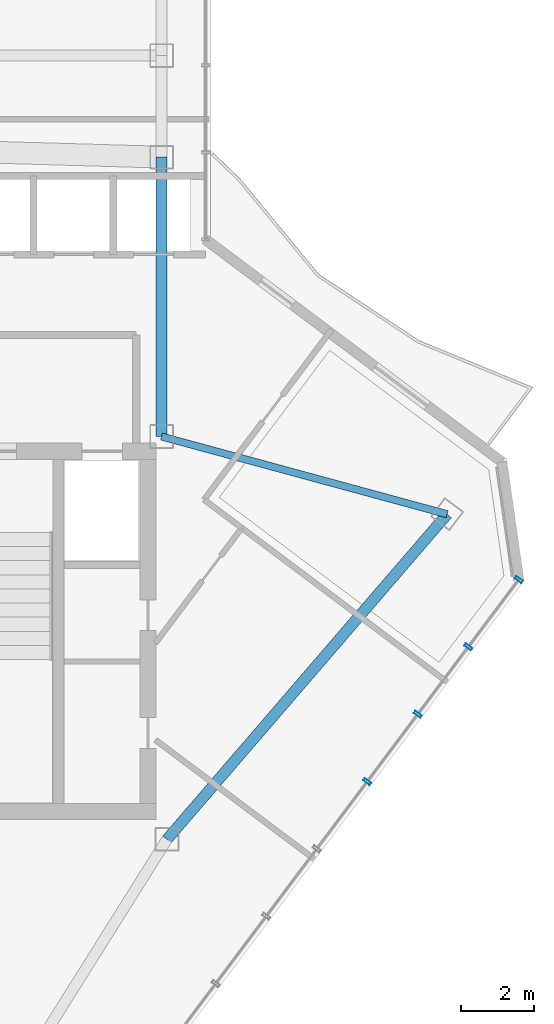
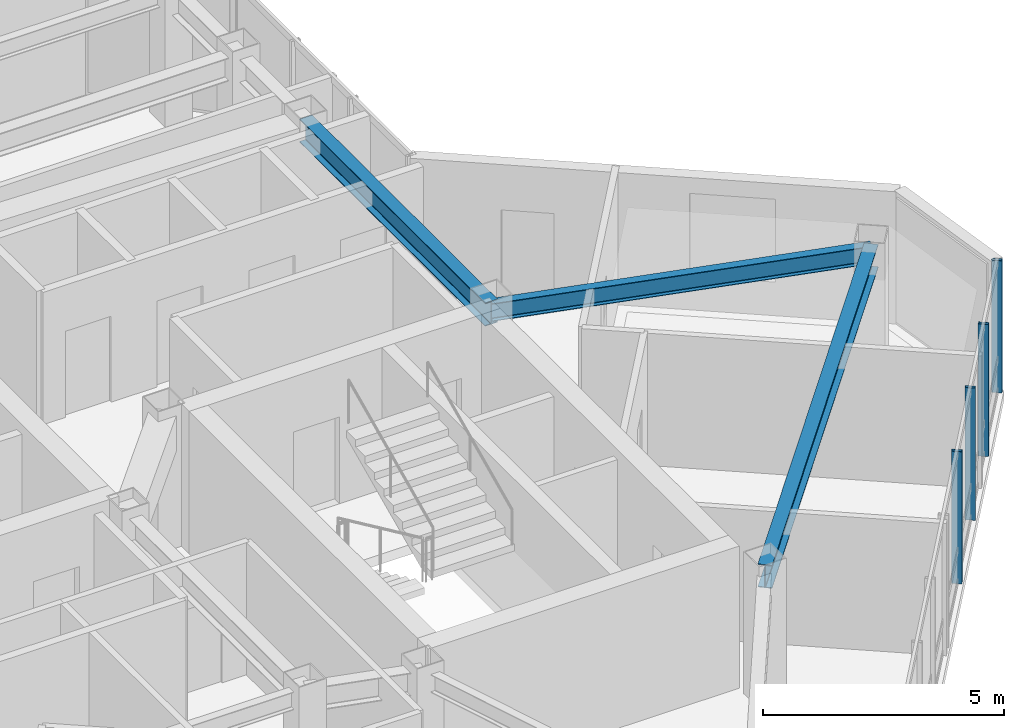
# One storey, part 7 of 17: 4 members, 3 beams, 1 element without a shape of its own.
"""IFC4 building model written with IfcOpenShell, lengths in metres."""

from ifc_helpers import new_model, si_unit, direction, frame, origin, origin_2d, place, context, subcontext, project, spatial, hollow_rectangle, i_section, extrude, material, layer, layer_set, material_profile, profile_set, type_object, element, aggregate, save


model = new_model("IFC4")

# Units and contexts
model_context = context("Model", 3, precision=1e-05, world=origin(), true_north=direction((0.0, 1.0)))
body_context = subcontext(model_context, "Body", "Model", "MODEL_VIEW")
ifc_project = project(units=[si_unit("LENGTHUNIT", "METRE"), si_unit("AREAUNIT", "SQUARE_METRE"), si_unit("VOLUMEUNIT", "CUBIC_METRE"), si_unit("PLANEANGLEUNIT", "RADIAN"), si_unit("MASSUNIT", "GRAM", prefix="KILO")], contexts=[model_context])

# Site, building, storey
site_placement = place(None, origin())
site = spatial("IfcSite", under=ifc_project, at=site_placement, CompositionType="ELEMENT")
building_placement = place(site_placement, origin())
building = spatial("IfcBuilding", under=site, at=building_placement, Name="Hatsunagi Terrace Concourse", CompositionType="ELEMENT")
storey_placement = place(building_placement, frame((0.0, 0.0, 253.949951171875)))
storey = spatial("IfcBuildingStorey", under=building, at=storey_placement, Name="L67", CompositionType="ELEMENT", Elevation=253.949951171875)

# Curtain wall, members
ifc_material_1 = material(Name="Anodised Aluminium Alloy 6063-T5", Category="aluminium")
ifc_layer = layer(ifc_material_1, 0.199951171875)
ifc_layer_set = layer_set([ifc_layer], Name="SkyLobbyAtrium_CW05")
curtain_wall_type = type_object("IfcCurtainWallType", Name="SkyLobbyAtrium_CW05", PredefinedType="NOTDEFINED", material=ifc_layer_set)
curtain_wall_placement = place(storey_placement, origin())
curtain_wall = element("IfcCurtainWall", 1, at=curtain_wall_placement, inside=storey, type_object=curtain_wall_type, Name="Unitised Curtain Wall CW-05 CW-L67-03", PredefinedType="NOTDEFINED")
ifc_material_2 = material(Name="Anodised Aluminium Alloy 6063-T5", Category="aluminium")
ifc_material_profile_1 = material_profile(ifc_material_2, hollow_rectangle(XDim=0.080078125, YDim=0.219970703125, WallThickness=0.0048828125, at=origin_2d()), Name="ALU-MUL-220x80x5")
ifc_profile_set_1 = profile_set([ifc_material_profile_1], Name="Anodised Aluminium Alloy 6063-T5")
member_type = type_object("IfcMemberType", Name="CurtainWallMullion_Heavy_220x80", PredefinedType="MULLION", material=ifc_profile_set_1)
member_1_placement = place(storey_placement, frame((53.492919921875, 31.35791015625, 0.0), z_axis=(0.0, 0.0, 1.0), x_axis=(-0.599969314634, -0.800023013105, 0.0)))
member_1 = element("IfcMember", 2, at=member_1_placement, type_object=member_type, Name="Curtain Wall Mullion MUL-01", PredefinedType="MULLION", context=body_context, shape_type="SweptSolid", body=[
    extrude(hollow_rectangle(XDim=0.080078125, YDim=0.219970703125, WallThickness=0.0048828125, at=origin_2d()), origin(), (0.0, 0.0, 1.0), 3.35009765625),
])
member_2_placement = place(storey_placement, frame((52.10107421875, 29.501953125, 0.0), z_axis=(0.0, 0.0, 1.0), x_axis=(-0.599969314634, -0.800023013105, 0.0)))
member_2 = element("IfcMember", 3, at=member_2_placement, type_object=member_type, Name="Curtain Wall Mullion MUL-01", PredefinedType="MULLION", context=body_context, shape_type="SweptSolid", body=[
    extrude(hollow_rectangle(XDim=0.080078125, YDim=0.219970703125, WallThickness=0.0048828125, at=origin_2d()), origin(), (0.0, 0.0, 1.0), 3.35009765625),
])
member_3_placement = place(storey_placement, frame((50.708984375, 27.64501953125, 0.0), z_axis=(0.0, 0.0, 1.0), x_axis=(-0.599969314634, -0.800023013105, 0.0)))
member_3 = element("IfcMember", 4, at=member_3_placement, type_object=member_type, Name="Curtain Wall Mullion MUL-01", PredefinedType="MULLION", context=body_context, shape_type="SweptSolid", body=[
    extrude(hollow_rectangle(XDim=0.080078125, YDim=0.219970703125, WallThickness=0.0048828125, at=origin_2d()), origin(), (0.0, 0.0, 1.0), 3.35009765625),
])
member_4_placement = place(storey_placement, frame((49.31591796875, 25.7890625, 0.0), z_axis=(0.0, 0.0, 1.0), x_axis=(-0.599969314634, -0.800023013105, 0.0)))
member_4 = element("IfcMember", 5, at=member_4_placement, type_object=member_type, Name="Curtain Wall Mullion MUL-01", PredefinedType="MULLION", context=body_context, shape_type="SweptSolid", body=[
    extrude(hollow_rectangle(XDim=0.080078125, YDim=0.219970703125, WallThickness=0.0048828125, at=origin_2d()), origin(), (0.0, 0.0, 1.0), 3.35009765625),
])
aggregate(curtain_wall, [member_1, member_2, member_3, member_4])

# Beams
ifc_material_3 = material(Name="Steel SN490B", Category="steel")
ifc_material_profile_2 = material_profile(ifc_material_3, i_section(OverallWidth=0.300048828125, OverallDepth=0.587890625, WebThickness=0.011962890625, FlangeThickness=0.02001953125, FilletRadius=0.01806640625, at=origin_2d()), Name="H-588x300x12x20")
ifc_profile_set_2 = profile_set([ifc_material_profile_2], Name="Steel SN490B")
beam_type_1 = type_object("IfcBeamType", Name="OfficeHighGirder_H_588x300", PredefinedType="BEAM", material=ifc_profile_set_2)
beam_1_placement = place(storey_placement, frame((43.64990234375, 35.300048828125, 3.05615234375), z_axis=(0.0, 1.0, 0.0), x_axis=(-1.0, 0.0, 0.0)))
element("IfcBeam", 6, at=beam_1_placement, inside=storey, type_object=beam_type_1, Name="Beam G-06 BM-L67-CBK3", PredefinedType="BEAM", context=body_context, shape_type="SweptSolid", body=[
    extrude(i_section(OverallWidth=0.300048828125, OverallDepth=0.587890625, WebThickness=0.011962890625, FlangeThickness=0.02001953125, FilletRadius=0.01806640625, at=origin_2d()), origin(), (0.0, 0.0, 1.0), 7.699951171875),
])
beam_2_placement = place(storey_placement, frame((43.800048828125, 24.199951171875, 3.05615234375), z_axis=(0.652739101421, 0.757582777969, 0.0), x_axis=(-0.757582777969, 0.652739101421, 0.0)))
element("IfcBeam", 7, at=beam_2_placement, inside=storey, type_object=beam_type_1, Name="Beam G-06 BM-L67-SET-1B", PredefinedType="BEAM", context=body_context, shape_type="SweptSolid", body=[
    extrude(i_section(OverallWidth=0.300048828125, OverallDepth=0.587890625, WebThickness=0.011962890625, FlangeThickness=0.02001953125, FilletRadius=0.01806640625, at=origin_2d()), origin(), (0.0, 0.0, 1.0), 11.8271484375),
])
ifc_material_4 = material(Name="Steel SN490B", Category="steel")
ifc_material_profile_3 = material_profile(ifc_material_4, i_section(OverallWidth=0.199951171875, OverallDepth=0.449951171875, WebThickness=0.009033203125, FlangeThickness=0.013916015625, FilletRadius=0.01611328125, at=origin_2d()), Name="H-450x200x9x14")
ifc_profile_set_3 = profile_set([ifc_material_profile_3], Name="Steel SN490B")
beam_type_2 = type_object("IfcBeamType", Name="PerimeterSpandrel_H_450x200", PredefinedType="SPANDREL", material=ifc_profile_set_3)
beam_3_placement = place(storey_placement, frame((43.64990234375, 35.300048828125, 3.125), z_axis=(0.964958359286, -0.262403057994, 0.0), x_axis=(0.262403057994, 0.964958359286, 0.0)))
element("IfcBeam", 8, at=beam_3_placement, inside=storey, type_object=beam_type_2, Name="Beam SP-02 BM-L67-SE-NE0", PredefinedType="SPANDREL", context=body_context, shape_type="SweptSolid", body=[
    extrude(i_section(OverallWidth=0.199951171875, OverallDepth=0.449951171875, WebThickness=0.009033203125, FlangeThickness=0.013916015625, FilletRadius=0.01611328125, at=origin_2d()), origin(), (0.0, 0.0, 1.0), 8.156005859375),
])

save(model, "model.ifc")
